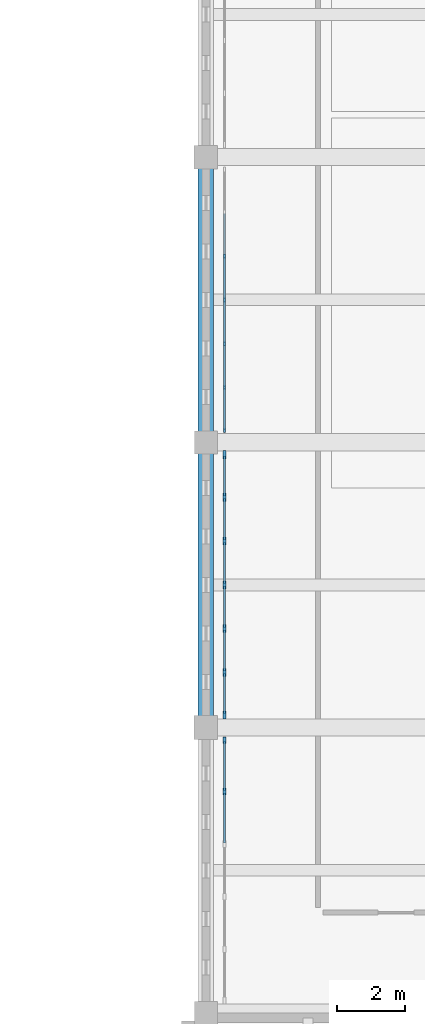
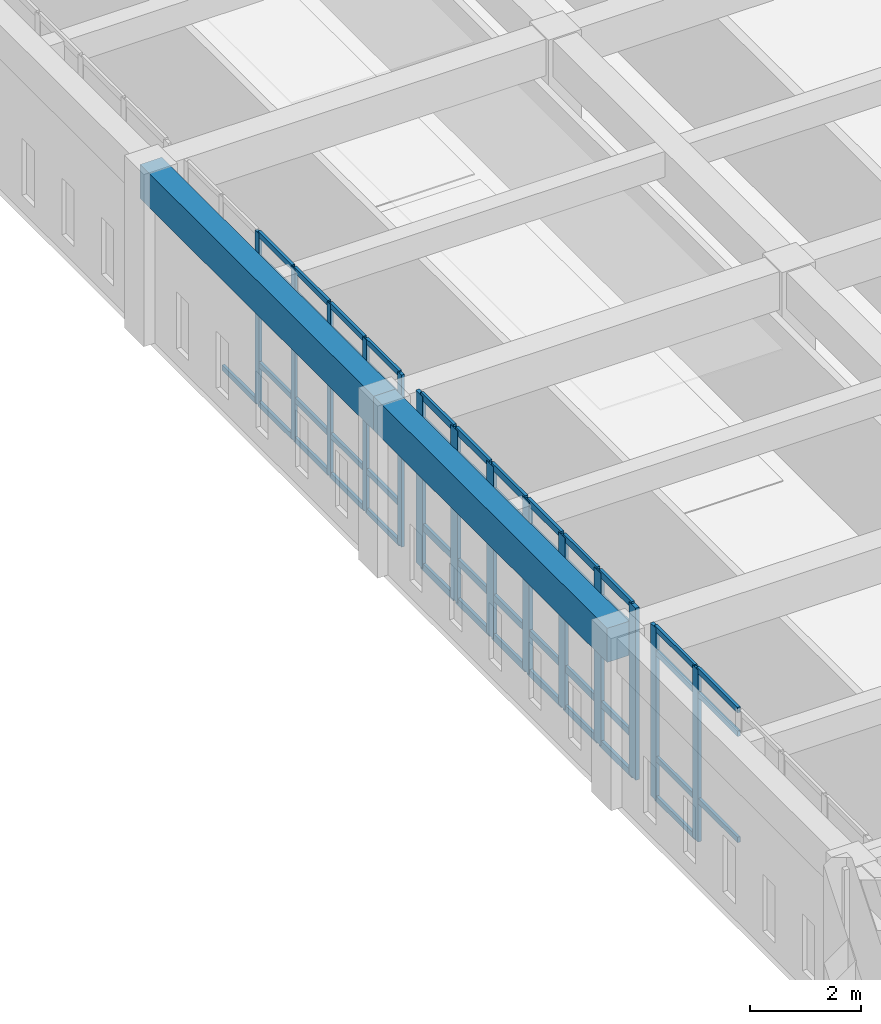
# One storey, part 20 of 110: 62 members, 2 beams, 3 elements without a shape of their own.
"""IFC4 building model written with IfcOpenShell, lengths in metres."""

from ifc_helpers import new_model, si_unit, direction, frame, origin, origin_2d, place, context, subcontext, project, spatial, rectangle, extrude, material, layer, layer_set, material_profile, profile_set, type_object, element, aggregate, save


model = new_model("IFC4")

# Units and contexts
model_context = context("Model", 3, precision=1e-05, world=origin(), true_north=direction((0.0, 1.0)))
body_context = subcontext(model_context, "Body", "Model", "MODEL_VIEW")
ifc_project = project(units=[si_unit("LENGTHUNIT", "METRE"), si_unit("AREAUNIT", "SQUARE_METRE"), si_unit("VOLUMEUNIT", "CUBIC_METRE"), si_unit("PLANEANGLEUNIT", "RADIAN"), si_unit("MASSUNIT", "GRAM", prefix="KILO")], contexts=[model_context])

# Site, building, storey
site_placement = place(None, origin())
site = spatial("IfcSite", under=ifc_project, at=site_placement, CompositionType="ELEMENT")
building_placement = place(site_placement, origin())
building = spatial("IfcBuilding", under=site, at=building_placement, Name="Kveldsbrygga Polytechnic", CompositionType="ELEMENT")
storey_placement = place(building_placement, frame((0.0, 0.0, 9.860107421875)))
storey = spatial("IfcBuildingStorey", under=building, at=storey_placement, Name="L02", CompositionType="ELEMENT", Elevation=9.860107421875)

# Beams
ifc_material_1 = material(Name="Concrete C35/45", Category="concrete")
ifc_material_profile_1 = material_profile(ifc_material_1, rectangle(XDim=0.449951171875, YDim=0.75, at=origin_2d()), Name="RC 450x750")
ifc_profile_set_1 = profile_set([ifc_material_profile_1], Name="Concrete C35/45")
beam_type = type_object("IfcBeamType", Name="BM-RC-450x750", PredefinedType="BEAM", material=ifc_profile_set_1)
beam_1_placement = place(storey_placement, frame((126.0, 42.0, 3.375), z_axis=(0.0, 1.0, 0.0), x_axis=(-1.0, 0.0, 0.0)))
element("IfcBeam", 1, at=beam_1_placement, inside=storey, type_object=beam_type, Name="Primary Beam BMY-L02-15-05to06", PredefinedType="BEAM", context=body_context, shape_type="SweptSolid", body=[
    extrude(rectangle(XDim=0.449951171875, YDim=0.75, at=origin_2d()), origin(), (0.0, 0.0, 1.0), 8.39990234375),
])
beam_2_placement = place(storey_placement, frame((126.0, 50.39990234375, 3.375), z_axis=(0.0, 1.0, 0.0), x_axis=(-1.0, 0.0, 0.0)))
element("IfcBeam", 2, at=beam_2_placement, inside=storey, type_object=beam_type, Name="Primary Beam BMY-L02-15-06to07", PredefinedType="BEAM", context=body_context, shape_type="SweptSolid", body=[
    extrude(rectangle(XDim=0.449951171875, YDim=0.75, at=origin_2d()), origin(), (0.0, 0.0, 1.0), 8.400146484375),
])

# Curtain wall, members
ifc_material_2 = material(Name="Anodised aluminium AW-6060", Category="aluminium")
ifc_layer_1 = layer(ifc_material_2, 0.179931640625)
ifc_layer_set_1 = layer_set([ifc_layer_1], Name="Anodised aluminium AW-6060")
curtain_wall_type_1 = type_object("IfcCurtainWallType", Name="CW-CONC-A", PredefinedType="USERDEFINED", material=ifc_layer_set_1)
curtain_wall_1_placement = place(storey_placement, origin())
curtain_wall_1 = element("IfcCurtainWall", 3, at=curtain_wall_1_placement, inside=storey, type_object=curtain_wall_type_1, Name="Curtain Wall CW-L02-Y-15-06", ObjectType="UNITISED CURTAIN WALL", PredefinedType="USERDEFINED")
ifc_material_profile_2 = material_profile(ifc_material_2, rectangle(XDim=0.06005859375, YDim=0.139892578125, at=origin_2d()), Name="ALU 60x140")
ifc_profile_set_2 = profile_set([ifc_material_profile_2], Name="Anodised aluminium AW-6060")
member_type_1 = type_object("IfcMemberType", Name="CW-MUL-140", PredefinedType="MULLION", material=ifc_profile_set_2)
member_1_placement = place(storey_placement, frame((126.550048828125, 50.7548828125, 0.0), z_axis=(0.0, 0.0, 1.0), x_axis=(-1.0, 0.0, 0.0)))
member_1 = element("IfcMember", 4, at=member_1_placement, type_object=member_type_1, Name="CW-01 mullion 1", PredefinedType="MULLION", context=body_context, shape_type="SweptSolid", body=[
    extrude(rectangle(XDim=0.06005859375, YDim=0.139892578125, at=origin_2d()), origin(), (0.0, 0.0, 1.0), 3.77978515625),
])
member_2_placement = place(storey_placement, frame((126.550048828125, 52.014892578125, 0.0), z_axis=(0.0, 0.0, 1.0), x_axis=(-1.0, 0.0, 0.0)))
member_2 = element("IfcMember", 5, at=member_2_placement, type_object=member_type_1, Name="CW-01 mullion 2", PredefinedType="MULLION", context=body_context, shape_type="SweptSolid", body=[
    extrude(rectangle(XDim=0.06005859375, YDim=0.139892578125, at=origin_2d()), origin(), (0.0, 0.0, 1.0), 3.77978515625),
])
member_3_placement = place(storey_placement, frame((126.550048828125, 53.304931640625, 0.0), z_axis=(0.0, 0.0, 1.0), x_axis=(-1.0, 0.0, 0.0)))
member_3 = element("IfcMember", 6, at=member_3_placement, type_object=member_type_1, Name="CW-01 mullion 3", PredefinedType="MULLION", context=body_context, shape_type="SweptSolid", body=[
    extrude(rectangle(XDim=0.06005859375, YDim=0.139892578125, at=origin_2d()), origin(), (0.0, 0.0, 1.0), 3.77978515625),
])
member_4_placement = place(storey_placement, frame((126.550048828125, 54.594970703125, 0.0), z_axis=(0.0, 0.0, 1.0), x_axis=(-1.0, 0.0, 0.0)))
member_4 = element("IfcMember", 7, at=member_4_placement, type_object=member_type_1, Name="CW-01 mullion 4", PredefinedType="MULLION", context=body_context, shape_type="SweptSolid", body=[
    extrude(rectangle(XDim=0.06005859375, YDim=0.139892578125, at=origin_2d()), origin(), (0.0, 0.0, 1.0), 3.77978515625),
])
member_5_placement = place(storey_placement, frame((126.550048828125, 55.885009765625, 0.0), z_axis=(0.0, 0.0, 1.0), x_axis=(-1.0, 0.0, 0.0)))
member_5 = element("IfcMember", 8, at=member_5_placement, type_object=member_type_1, Name="CW-01 mullion 5", PredefinedType="MULLION", context=body_context, shape_type="SweptSolid", body=[
    extrude(rectangle(XDim=0.06005859375, YDim=0.139892578125, at=origin_2d()), origin(), (0.0, 0.0, 1.0), 3.77978515625),
])

ifc_layer_2 = layer(ifc_material_2, 0.18994140625)
ifc_layer_set_2 = layer_set([ifc_layer_2], Name="Anodised aluminium AW-6060")
curtain_wall_type_2 = type_object("IfcCurtainWallType", Name="CW-REFC-G", PredefinedType="USERDEFINED", material=ifc_layer_set_2)
curtain_wall_2_placement = place(storey_placement, origin())
curtain_wall_2 = element("IfcCurtainWall", 9, at=curtain_wall_2_placement, inside=storey, type_object=curtain_wall_type_2, Name="Curtain Wall CW-L02-Y-15-04", ObjectType="UNITISED CURTAIN WALL", PredefinedType="USERDEFINED")
ifc_material_profile_3 = material_profile(ifc_material_2, rectangle(XDim=0.074951171875, YDim=0.199951171875, at=origin_2d()), Name="ALU 75x200")
ifc_profile_set_3 = profile_set([ifc_material_profile_3], Name="Anodised aluminium AW-6060")
member_type_2 = type_object("IfcMemberType", Name="CW-MUL-200", PredefinedType="MULLION", material=ifc_profile_set_3)
member_6_placement = place(storey_placement, frame((126.550048828125, 40.116943359375, 0.0), z_axis=(0.0, 0.0, 1.0), x_axis=(-1.0, 0.0, 0.0)))
member_6 = element("IfcMember", 10, at=member_6_placement, type_object=member_type_2, Name="CW-07 mullion 5", PredefinedType="MULLION", context=body_context, shape_type="SweptSolid", body=[
    extrude(rectangle(XDim=0.074951171875, YDim=0.199951171875, at=origin_2d()), origin(), (0.0, 0.0, 1.0), 3.77978515625),
])
member_7_placement = place(storey_placement, frame((126.550048828125, 41.62744140625, 0.0), z_axis=(0.0, 0.0, 1.0), x_axis=(-1.0, 0.0, 0.0)))
member_7 = element("IfcMember", 11, at=member_7_placement, type_object=member_type_2, Name="CW-07 mullion 6", PredefinedType="MULLION", context=body_context, shape_type="SweptSolid", body=[
    extrude(rectangle(XDim=0.074951171875, YDim=0.199951171875, at=origin_2d()), origin(), (0.0, 0.0, 1.0), 3.77978515625),
])

ifc_layer_3 = layer(ifc_material_2, 0.2099609375)
ifc_layer_set_3 = layer_set([ifc_layer_3], Name="Anodised aluminium AW-6060")
curtain_wall_type_3 = type_object("IfcCurtainWallType", Name="CW-LIBR-H", PredefinedType="USERDEFINED", material=ifc_layer_set_3)
curtain_wall_3_placement = place(storey_placement, origin())
curtain_wall_3 = element("IfcCurtainWall", 12, at=curtain_wall_3_placement, inside=storey, type_object=curtain_wall_type_3, Name="Curtain Wall CW-L02-Y-15-05", ObjectType="UNITISED CURTAIN WALL", PredefinedType="USERDEFINED")
ifc_material_profile_4 = material_profile(ifc_material_2, rectangle(XDim=0.074951171875, YDim=0.239990234375, at=origin_2d()), Name="ALU 75x240")
ifc_profile_set_4 = profile_set([ifc_material_profile_4], Name="Anodised aluminium AW-6060")
member_type_3 = type_object("IfcMemberType", Name="CW-MUL-240", PredefinedType="MULLION", material=ifc_profile_set_4)
member_8_placement = place(storey_placement, frame((126.550048828125, 42.37255859375, 0.0), z_axis=(0.0, 0.0, 1.0), x_axis=(-1.0, 0.0, 0.0)))
member_8 = element("IfcMember", 13, at=member_8_placement, type_object=member_type_3, Name="CW-08 mullion 1", PredefinedType="MULLION", context=body_context, shape_type="SweptSolid", body=[
    extrude(rectangle(XDim=0.074951171875, YDim=0.239990234375, at=origin_2d()), origin(), (0.0, 0.0, 1.0), 3.77978515625),
])
member_9_placement = place(storey_placement, frame((126.550048828125, 43.625, 0.0), z_axis=(0.0, 0.0, 1.0), x_axis=(-1.0, 0.0, 0.0)))
member_9 = element("IfcMember", 14, at=member_9_placement, type_object=member_type_3, Name="CW-08 mullion 2", PredefinedType="MULLION", context=body_context, shape_type="SweptSolid", body=[
    extrude(rectangle(XDim=0.074951171875, YDim=0.239990234375, at=origin_2d()), origin(), (0.0, 0.0, 1.0), 3.77978515625),
])
member_10_placement = place(storey_placement, frame((126.550048828125, 44.9150390625, 0.0), z_axis=(0.0, 0.0, 1.0), x_axis=(-1.0, 0.0, 0.0)))
member_10 = element("IfcMember", 15, at=member_10_placement, type_object=member_type_3, Name="CW-08 mullion 3", PredefinedType="MULLION", context=body_context, shape_type="SweptSolid", body=[
    extrude(rectangle(XDim=0.074951171875, YDim=0.239990234375, at=origin_2d()), origin(), (0.0, 0.0, 1.0), 3.77978515625),
])
member_11_placement = place(storey_placement, frame((126.550048828125, 46.205078125, 0.0), z_axis=(0.0, 0.0, 1.0), x_axis=(-1.0, 0.0, 0.0)))
member_11 = element("IfcMember", 16, at=member_11_placement, type_object=member_type_3, Name="CW-08 mullion 4", PredefinedType="MULLION", context=body_context, shape_type="SweptSolid", body=[
    extrude(rectangle(XDim=0.074951171875, YDim=0.239990234375, at=origin_2d()), origin(), (0.0, 0.0, 1.0), 3.77978515625),
])
member_12_placement = place(storey_placement, frame((126.550048828125, 47.4951171875, 0.0), z_axis=(0.0, 0.0, 1.0), x_axis=(-1.0, 0.0, 0.0)))
member_12 = element("IfcMember", 17, at=member_12_placement, type_object=member_type_3, Name="CW-08 mullion 5", PredefinedType="MULLION", context=body_context, shape_type="SweptSolid", body=[
    extrude(rectangle(XDim=0.074951171875, YDim=0.239990234375, at=origin_2d()), origin(), (0.0, 0.0, 1.0), 3.77978515625),
])
member_13_placement = place(storey_placement, frame((126.550048828125, 48.784912109375, 0.0), z_axis=(0.0, 0.0, 1.0), x_axis=(-1.0, 0.0, 0.0)))
member_13 = element("IfcMember", 18, at=member_13_placement, type_object=member_type_3, Name="CW-08 mullion 6", PredefinedType="MULLION", context=body_context, shape_type="SweptSolid", body=[
    extrude(rectangle(XDim=0.074951171875, YDim=0.239990234375, at=origin_2d()), origin(), (0.0, 0.0, 1.0), 3.77978515625),
])
member_14_placement = place(storey_placement, frame((126.550048828125, 50.03759765625, 0.0), z_axis=(0.0, 0.0, 1.0), x_axis=(-1.0, 0.0, 0.0)))
member_14 = element("IfcMember", 19, at=member_14_placement, type_object=member_type_3, Name="CW-08 mullion 7", PredefinedType="MULLION", context=body_context, shape_type="SweptSolid", body=[
    extrude(rectangle(XDim=0.074951171875, YDim=0.239990234375, at=origin_2d()), origin(), (0.0, 0.0, 1.0), 3.77978515625),
])

# Member
ifc_material_profile_5 = material_profile(ifc_material_2, rectangle(XDim=0.06005859375, YDim=0.1201171875, at=origin_2d()), Name="ALU 60x120")
ifc_profile_set_5 = profile_set([ifc_material_profile_5], Name="Anodised aluminium AW-6060")
member_type_4 = type_object("IfcMemberType", Name="CW-TRN-120", PredefinedType="USERDEFINED", material=ifc_profile_set_5)
member_15_placement = place(storey_placement, frame((126.550048828125, 38.6064453125, 0.89990234375), z_axis=(0.0, 1.0, 0.0), x_axis=(-1.0, 0.0, 0.0)))
member_15 = element("IfcMember", 20, at=member_15_placement, type_object=member_type_4, Name="CW-07 transom 4.2", ObjectType="TRANSOM", PredefinedType="USERDEFINED", context=body_context, shape_type="SweptSolid", body=[
    extrude(rectangle(XDim=0.06005859375, YDim=0.1201171875, at=origin_2d()), origin(), (0.0, 0.0, 1.0), 1.47314453125),
])

member_16_placement = place(storey_placement, frame((126.550048828125, 38.6064453125, 3.22998046875), z_axis=(0.0, 1.0, 0.0), x_axis=(-1.0, 0.0, 0.0)))
member_16 = element("IfcMember", 21, at=member_16_placement, type_object=member_type_4, Name="CW-07 transom 4.3", ObjectType="TRANSOM", PredefinedType="USERDEFINED", context=body_context, shape_type="SweptSolid", body=[
    extrude(rectangle(XDim=0.06005859375, YDim=0.1201171875, at=origin_2d()), origin(), (0.0, 0.0, 1.0), 1.47314453125),
])

member_17_placement = place(storey_placement, frame((126.550048828125, 38.6064453125, 3.75), z_axis=(0.0, 1.0, 0.0), x_axis=(-1.0, 0.0, 0.0)))
member_17 = element("IfcMember", 22, at=member_17_placement, type_object=member_type_4, Name="CW-07 transom 4.4", ObjectType="TRANSOM", PredefinedType="USERDEFINED", context=body_context, shape_type="SweptSolid", body=[
    extrude(rectangle(XDim=0.06005859375, YDim=0.1201171875, at=origin_2d()), origin(), (0.0, 0.0, 1.0), 1.47314453125),
])

member_18_placement = place(storey_placement, frame((126.550048828125, 40.154541015625, 0.02978515625), z_axis=(0.0, 1.0, 0.0), x_axis=(-1.0, 0.0, 0.0)))
member_18 = element("IfcMember", 23, at=member_18_placement, type_object=member_type_4, Name="CW-07 transom 5.1", ObjectType="TRANSOM", PredefinedType="USERDEFINED", context=body_context, shape_type="SweptSolid", body=[
    extrude(rectangle(XDim=0.06005859375, YDim=0.1201171875, at=origin_2d()), origin(), (0.0, 0.0, 1.0), 1.435546875),
])

member_19_placement = place(storey_placement, frame((126.550048828125, 40.154541015625, 0.89990234375), z_axis=(0.0, 1.0, 0.0), x_axis=(-1.0, 0.0, 0.0)))
member_19 = element("IfcMember", 24, at=member_19_placement, type_object=member_type_4, Name="CW-07 transom 5.2", ObjectType="TRANSOM", PredefinedType="USERDEFINED", context=body_context, shape_type="SweptSolid", body=[
    extrude(rectangle(XDim=0.06005859375, YDim=0.1201171875, at=origin_2d()), origin(), (0.0, 0.0, 1.0), 1.435546875),
])

member_20_placement = place(storey_placement, frame((126.550048828125, 40.154541015625, 3.22998046875), z_axis=(0.0, 1.0, 0.0), x_axis=(-1.0, 0.0, 0.0)))
member_20 = element("IfcMember", 25, at=member_20_placement, type_object=member_type_4, Name="CW-07 transom 5.3", ObjectType="TRANSOM", PredefinedType="USERDEFINED", context=body_context, shape_type="SweptSolid", body=[
    extrude(rectangle(XDim=0.06005859375, YDim=0.1201171875, at=origin_2d()), origin(), (0.0, 0.0, 1.0), 1.435546875),
])

member_21_placement = place(storey_placement, frame((126.550048828125, 40.154541015625, 3.75), z_axis=(0.0, 1.0, 0.0), x_axis=(-1.0, 0.0, 0.0)))
member_21 = element("IfcMember", 26, at=member_21_placement, type_object=member_type_4, Name="CW-07 transom 5.4", ObjectType="TRANSOM", PredefinedType="USERDEFINED", context=body_context, shape_type="SweptSolid", body=[
    extrude(rectangle(XDim=0.06005859375, YDim=0.1201171875, at=origin_2d()), origin(), (0.0, 0.0, 1.0), 1.435546875),
])

aggregate(curtain_wall_2, [member_6, member_7, member_15, member_16, member_17, member_18, member_19, member_20, member_21])

member_22_placement = place(storey_placement, frame((126.550048828125, 50.784912109375, 0.02978515625), z_axis=(0.0, 1.0, 0.0), x_axis=(-1.0, 0.0, 0.0)))
member_22 = element("IfcMember", 27, at=member_22_placement, type_object=member_type_4, Name="CW-01 transom 1.1", ObjectType="TRANSOM", PredefinedType="USERDEFINED", context=body_context, shape_type="SweptSolid", body=[
    extrude(rectangle(XDim=0.06005859375, YDim=0.1201171875, at=origin_2d()), origin(), (0.0, 0.0, 1.0), 1.2001953125),
])

member_23_placement = place(storey_placement, frame((126.550048828125, 50.784912109375, 0.89990234375), z_axis=(0.0, 1.0, 0.0), x_axis=(-1.0, 0.0, 0.0)))
member_23 = element("IfcMember", 28, at=member_23_placement, type_object=member_type_4, Name="CW-01 transom 1.2", ObjectType="TRANSOM", PredefinedType="USERDEFINED", context=body_context, shape_type="SweptSolid", body=[
    extrude(rectangle(XDim=0.06005859375, YDim=0.1201171875, at=origin_2d()), origin(), (0.0, 0.0, 1.0), 1.2001953125),
])

member_24_placement = place(storey_placement, frame((126.550048828125, 50.784912109375, 3.22998046875), z_axis=(0.0, 1.0, 0.0), x_axis=(-1.0, 0.0, 0.0)))
member_24 = element("IfcMember", 29, at=member_24_placement, type_object=member_type_4, Name="CW-01 transom 1.3", ObjectType="TRANSOM", PredefinedType="USERDEFINED", context=body_context, shape_type="SweptSolid", body=[
    extrude(rectangle(XDim=0.06005859375, YDim=0.1201171875, at=origin_2d()), origin(), (0.0, 0.0, 1.0), 1.2001953125),
])

member_25_placement = place(storey_placement, frame((126.550048828125, 50.784912109375, 3.75), z_axis=(0.0, 1.0, 0.0), x_axis=(-1.0, 0.0, 0.0)))
member_25 = element("IfcMember", 30, at=member_25_placement, type_object=member_type_4, Name="CW-01 transom 1.4", ObjectType="TRANSOM", PredefinedType="USERDEFINED", context=body_context, shape_type="SweptSolid", body=[
    extrude(rectangle(XDim=0.06005859375, YDim=0.1201171875, at=origin_2d()), origin(), (0.0, 0.0, 1.0), 1.2001953125),
])

member_26_placement = place(storey_placement, frame((126.550048828125, 52.044921875, 0.02978515625), z_axis=(0.0, 1.0, 0.0), x_axis=(-1.0, 0.0, 0.0)))
member_26 = element("IfcMember", 31, at=member_26_placement, type_object=member_type_4, Name="CW-01 transom 2.1", ObjectType="TRANSOM", PredefinedType="USERDEFINED", context=body_context, shape_type="SweptSolid", body=[
    extrude(rectangle(XDim=0.06005859375, YDim=0.1201171875, at=origin_2d()), origin(), (0.0, 0.0, 1.0), 1.22998046875),
])

member_27_placement = place(storey_placement, frame((126.550048828125, 52.044921875, 0.89990234375), z_axis=(0.0, 1.0, 0.0), x_axis=(-1.0, 0.0, 0.0)))
member_27 = element("IfcMember", 32, at=member_27_placement, type_object=member_type_4, Name="CW-01 transom 2.2", ObjectType="TRANSOM", PredefinedType="USERDEFINED", context=body_context, shape_type="SweptSolid", body=[
    extrude(rectangle(XDim=0.06005859375, YDim=0.1201171875, at=origin_2d()), origin(), (0.0, 0.0, 1.0), 1.22998046875),
])

member_28_placement = place(storey_placement, frame((126.550048828125, 52.044921875, 3.22998046875), z_axis=(0.0, 1.0, 0.0), x_axis=(-1.0, 0.0, 0.0)))
member_28 = element("IfcMember", 33, at=member_28_placement, type_object=member_type_4, Name="CW-01 transom 2.3", ObjectType="TRANSOM", PredefinedType="USERDEFINED", context=body_context, shape_type="SweptSolid", body=[
    extrude(rectangle(XDim=0.06005859375, YDim=0.1201171875, at=origin_2d()), origin(), (0.0, 0.0, 1.0), 1.22998046875),
])

member_29_placement = place(storey_placement, frame((126.550048828125, 52.044921875, 3.75), z_axis=(0.0, 1.0, 0.0), x_axis=(-1.0, 0.0, 0.0)))
member_29 = element("IfcMember", 34, at=member_29_placement, type_object=member_type_4, Name="CW-01 transom 2.4", ObjectType="TRANSOM", PredefinedType="USERDEFINED", context=body_context, shape_type="SweptSolid", body=[
    extrude(rectangle(XDim=0.06005859375, YDim=0.1201171875, at=origin_2d()), origin(), (0.0, 0.0, 1.0), 1.22998046875),
])

member_30_placement = place(storey_placement, frame((126.550048828125, 53.3349609375, 0.02978515625), z_axis=(0.0, 1.0, 0.0), x_axis=(-1.0, 0.0, 0.0)))
member_30 = element("IfcMember", 35, at=member_30_placement, type_object=member_type_4, Name="CW-01 transom 3.1", ObjectType="TRANSOM", PredefinedType="USERDEFINED", context=body_context, shape_type="SweptSolid", body=[
    extrude(rectangle(XDim=0.06005859375, YDim=0.1201171875, at=origin_2d()), origin(), (0.0, 0.0, 1.0), 1.22998046875),
])

member_31_placement = place(storey_placement, frame((126.550048828125, 53.3349609375, 0.89990234375), z_axis=(0.0, 1.0, 0.0), x_axis=(-1.0, 0.0, 0.0)))
member_31 = element("IfcMember", 36, at=member_31_placement, type_object=member_type_4, Name="CW-01 transom 3.2", ObjectType="TRANSOM", PredefinedType="USERDEFINED", context=body_context, shape_type="SweptSolid", body=[
    extrude(rectangle(XDim=0.06005859375, YDim=0.1201171875, at=origin_2d()), origin(), (0.0, 0.0, 1.0), 1.22998046875),
])

member_32_placement = place(storey_placement, frame((126.550048828125, 53.3349609375, 3.22998046875), z_axis=(0.0, 1.0, 0.0), x_axis=(-1.0, 0.0, 0.0)))
member_32 = element("IfcMember", 37, at=member_32_placement, type_object=member_type_4, Name="CW-01 transom 3.3", ObjectType="TRANSOM", PredefinedType="USERDEFINED", context=body_context, shape_type="SweptSolid", body=[
    extrude(rectangle(XDim=0.06005859375, YDim=0.1201171875, at=origin_2d()), origin(), (0.0, 0.0, 1.0), 1.22998046875),
])

member_33_placement = place(storey_placement, frame((126.550048828125, 53.3349609375, 3.75), z_axis=(0.0, 1.0, 0.0), x_axis=(-1.0, 0.0, 0.0)))
member_33 = element("IfcMember", 38, at=member_33_placement, type_object=member_type_4, Name="CW-01 transom 3.4", ObjectType="TRANSOM", PredefinedType="USERDEFINED", context=body_context, shape_type="SweptSolid", body=[
    extrude(rectangle(XDim=0.06005859375, YDim=0.1201171875, at=origin_2d()), origin(), (0.0, 0.0, 1.0), 1.22998046875),
])

member_34_placement = place(storey_placement, frame((126.550048828125, 54.625, 0.02978515625), z_axis=(0.0, 1.0, 0.0), x_axis=(-1.0, 0.0, 0.0)))
member_34 = element("IfcMember", 39, at=member_34_placement, type_object=member_type_4, Name="CW-01 transom 4.1", ObjectType="TRANSOM", PredefinedType="USERDEFINED", context=body_context, shape_type="SweptSolid", body=[
    extrude(rectangle(XDim=0.06005859375, YDim=0.1201171875, at=origin_2d()), origin(), (0.0, 0.0, 1.0), 1.22998046875),
])

member_35_placement = place(storey_placement, frame((126.550048828125, 54.625, 0.89990234375), z_axis=(0.0, 1.0, 0.0), x_axis=(-1.0, 0.0, 0.0)))
member_35 = element("IfcMember", 40, at=member_35_placement, type_object=member_type_4, Name="CW-01 transom 4.2", ObjectType="TRANSOM", PredefinedType="USERDEFINED", context=body_context, shape_type="SweptSolid", body=[
    extrude(rectangle(XDim=0.06005859375, YDim=0.1201171875, at=origin_2d()), origin(), (0.0, 0.0, 1.0), 1.22998046875),
])

member_36_placement = place(storey_placement, frame((126.550048828125, 54.625, 3.22998046875), z_axis=(0.0, 1.0, 0.0), x_axis=(-1.0, 0.0, 0.0)))
member_36 = element("IfcMember", 41, at=member_36_placement, type_object=member_type_4, Name="CW-01 transom 4.3", ObjectType="TRANSOM", PredefinedType="USERDEFINED", context=body_context, shape_type="SweptSolid", body=[
    extrude(rectangle(XDim=0.06005859375, YDim=0.1201171875, at=origin_2d()), origin(), (0.0, 0.0, 1.0), 1.22998046875),
])

member_37_placement = place(storey_placement, frame((126.550048828125, 54.625, 3.75), z_axis=(0.0, 1.0, 0.0), x_axis=(-1.0, 0.0, 0.0)))
member_37 = element("IfcMember", 42, at=member_37_placement, type_object=member_type_4, Name="CW-01 transom 4.4", ObjectType="TRANSOM", PredefinedType="USERDEFINED", context=body_context, shape_type="SweptSolid", body=[
    extrude(rectangle(XDim=0.06005859375, YDim=0.1201171875, at=origin_2d()), origin(), (0.0, 0.0, 1.0), 1.22998046875),
])

member_38_placement = place(storey_placement, frame((126.550048828125, 55.9150390625, 0.02978515625), z_axis=(0.0, 1.0, 0.0), x_axis=(-1.0, 0.0, 0.0)))
member_38 = element("IfcMember", 43, at=member_38_placement, type_object=member_type_4, Name="CW-01 transom 5.1", ObjectType="TRANSOM", PredefinedType="USERDEFINED", context=body_context, shape_type="SweptSolid", body=[
    extrude(rectangle(XDim=0.06005859375, YDim=0.1201171875, at=origin_2d()), origin(), (0.0, 0.0, 1.0), 1.22998046875),
])

aggregate(curtain_wall_1, [member_1, member_2, member_3, member_4, member_5, member_22, member_23, member_24, member_25, member_26, member_27, member_28, member_29, member_30, member_31, member_32, member_33, member_34, member_35, member_36, member_37, member_38])

ifc_material_profile_6 = material_profile(ifc_material_2, rectangle(XDim=0.06005859375, YDim=0.14990234375, at=origin_2d()), Name="ALU 60x150")
ifc_profile_set_6 = profile_set([ifc_material_profile_6], Name="Anodised aluminium AW-6060")
member_type_5 = type_object("IfcMemberType", Name="CW-TRN-150", PredefinedType="USERDEFINED", material=ifc_profile_set_6)
member_39_placement = place(storey_placement, frame((126.550048828125, 42.409912109375, 0.02978515625), z_axis=(0.0, 1.0, 0.0), x_axis=(-1.0, 0.0, 0.0)))
member_39 = element("IfcMember", 44, at=member_39_placement, type_object=member_type_5, Name="CW-08 transom 1.1", ObjectType="TRANSOM", PredefinedType="USERDEFINED", context=body_context, shape_type="SweptSolid", body=[
    extrude(rectangle(XDim=0.06005859375, YDim=0.14990234375, at=origin_2d()), origin(), (0.0, 0.0, 1.0), 1.177490234375),
])

member_40_placement = place(storey_placement, frame((126.550048828125, 42.409912109375, 0.89990234375), z_axis=(0.0, 1.0, 0.0), x_axis=(-1.0, 0.0, 0.0)))
member_40 = element("IfcMember", 45, at=member_40_placement, type_object=member_type_5, Name="CW-08 transom 1.2", ObjectType="TRANSOM", PredefinedType="USERDEFINED", context=body_context, shape_type="SweptSolid", body=[
    extrude(rectangle(XDim=0.06005859375, YDim=0.14990234375, at=origin_2d()), origin(), (0.0, 0.0, 1.0), 1.177490234375),
])

member_41_placement = place(storey_placement, frame((126.550048828125, 42.409912109375, 3.22998046875), z_axis=(0.0, 1.0, 0.0), x_axis=(-1.0, 0.0, 0.0)))
member_41 = element("IfcMember", 46, at=member_41_placement, type_object=member_type_5, Name="CW-08 transom 1.3", ObjectType="TRANSOM", PredefinedType="USERDEFINED", context=body_context, shape_type="SweptSolid", body=[
    extrude(rectangle(XDim=0.06005859375, YDim=0.14990234375, at=origin_2d()), origin(), (0.0, 0.0, 1.0), 1.177490234375),
])

member_42_placement = place(storey_placement, frame((126.550048828125, 42.409912109375, 3.75), z_axis=(0.0, 1.0, 0.0), x_axis=(-1.0, 0.0, 0.0)))
member_42 = element("IfcMember", 47, at=member_42_placement, type_object=member_type_5, Name="CW-08 transom 1.4", ObjectType="TRANSOM", PredefinedType="USERDEFINED", context=body_context, shape_type="SweptSolid", body=[
    extrude(rectangle(XDim=0.06005859375, YDim=0.14990234375, at=origin_2d()), origin(), (0.0, 0.0, 1.0), 1.177490234375),
])

member_43_placement = place(storey_placement, frame((126.550048828125, 43.66259765625, 0.02978515625), z_axis=(0.0, 1.0, 0.0), x_axis=(-1.0, 0.0, 0.0)))
member_43 = element("IfcMember", 48, at=member_43_placement, type_object=member_type_5, Name="CW-08 transom 2.1", ObjectType="TRANSOM", PredefinedType="USERDEFINED", context=body_context, shape_type="SweptSolid", body=[
    extrude(rectangle(XDim=0.06005859375, YDim=0.14990234375, at=origin_2d()), origin(), (0.0, 0.0, 1.0), 1.21484375),
])

member_44_placement = place(storey_placement, frame((126.550048828125, 43.66259765625, 0.89990234375), z_axis=(0.0, 1.0, 0.0), x_axis=(-1.0, 0.0, 0.0)))
member_44 = element("IfcMember", 49, at=member_44_placement, type_object=member_type_5, Name="CW-08 transom 2.2", ObjectType="TRANSOM", PredefinedType="USERDEFINED", context=body_context, shape_type="SweptSolid", body=[
    extrude(rectangle(XDim=0.06005859375, YDim=0.14990234375, at=origin_2d()), origin(), (0.0, 0.0, 1.0), 1.21484375),
])

member_45_placement = place(storey_placement, frame((126.550048828125, 43.66259765625, 3.22998046875), z_axis=(0.0, 1.0, 0.0), x_axis=(-1.0, 0.0, 0.0)))
member_45 = element("IfcMember", 50, at=member_45_placement, type_object=member_type_5, Name="CW-08 transom 2.3", ObjectType="TRANSOM", PredefinedType="USERDEFINED", context=body_context, shape_type="SweptSolid", body=[
    extrude(rectangle(XDim=0.06005859375, YDim=0.14990234375, at=origin_2d()), origin(), (0.0, 0.0, 1.0), 1.21484375),
])

member_46_placement = place(storey_placement, frame((126.550048828125, 43.66259765625, 3.75), z_axis=(0.0, 1.0, 0.0), x_axis=(-1.0, 0.0, 0.0)))
member_46 = element("IfcMember", 51, at=member_46_placement, type_object=member_type_5, Name="CW-08 transom 2.4", ObjectType="TRANSOM", PredefinedType="USERDEFINED", context=body_context, shape_type="SweptSolid", body=[
    extrude(rectangle(XDim=0.06005859375, YDim=0.14990234375, at=origin_2d()), origin(), (0.0, 0.0, 1.0), 1.21484375),
])

member_47_placement = place(storey_placement, frame((126.550048828125, 44.952392578125, 0.02978515625), z_axis=(0.0, 1.0, 0.0), x_axis=(-1.0, 0.0, 0.0)))
member_47 = element("IfcMember", 52, at=member_47_placement, type_object=member_type_5, Name="CW-08 transom 3.1", ObjectType="TRANSOM", PredefinedType="USERDEFINED", context=body_context, shape_type="SweptSolid", body=[
    extrude(rectangle(XDim=0.06005859375, YDim=0.14990234375, at=origin_2d()), origin(), (0.0, 0.0, 1.0), 1.215087890625),
])

member_48_placement = place(storey_placement, frame((126.550048828125, 44.952392578125, 0.89990234375), z_axis=(0.0, 1.0, 0.0), x_axis=(-1.0, 0.0, 0.0)))
member_48 = element("IfcMember", 53, at=member_48_placement, type_object=member_type_5, Name="CW-08 transom 3.2", ObjectType="TRANSOM", PredefinedType="USERDEFINED", context=body_context, shape_type="SweptSolid", body=[
    extrude(rectangle(XDim=0.06005859375, YDim=0.14990234375, at=origin_2d()), origin(), (0.0, 0.0, 1.0), 1.215087890625),
])

member_49_placement = place(storey_placement, frame((126.550048828125, 44.952392578125, 3.22998046875), z_axis=(0.0, 1.0, 0.0), x_axis=(-1.0, 0.0, 0.0)))
member_49 = element("IfcMember", 54, at=member_49_placement, type_object=member_type_5, Name="CW-08 transom 3.3", ObjectType="TRANSOM", PredefinedType="USERDEFINED", context=body_context, shape_type="SweptSolid", body=[
    extrude(rectangle(XDim=0.06005859375, YDim=0.14990234375, at=origin_2d()), origin(), (0.0, 0.0, 1.0), 1.215087890625),
])

member_50_placement = place(storey_placement, frame((126.550048828125, 44.952392578125, 3.75), z_axis=(0.0, 1.0, 0.0), x_axis=(-1.0, 0.0, 0.0)))
member_50 = element("IfcMember", 55, at=member_50_placement, type_object=member_type_5, Name="CW-08 transom 3.4", ObjectType="TRANSOM", PredefinedType="USERDEFINED", context=body_context, shape_type="SweptSolid", body=[
    extrude(rectangle(XDim=0.06005859375, YDim=0.14990234375, at=origin_2d()), origin(), (0.0, 0.0, 1.0), 1.215087890625),
])

member_51_placement = place(storey_placement, frame((126.550048828125, 46.242431640625, 0.02978515625), z_axis=(0.0, 1.0, 0.0), x_axis=(-1.0, 0.0, 0.0)))
member_51 = element("IfcMember", 56, at=member_51_placement, type_object=member_type_5, Name="CW-08 transom 4.1", ObjectType="TRANSOM", PredefinedType="USERDEFINED", context=body_context, shape_type="SweptSolid", body=[
    extrude(rectangle(XDim=0.06005859375, YDim=0.14990234375, at=origin_2d()), origin(), (0.0, 0.0, 1.0), 1.215087890625),
])

member_52_placement = place(storey_placement, frame((126.550048828125, 46.242431640625, 0.89990234375), z_axis=(0.0, 1.0, 0.0), x_axis=(-1.0, 0.0, 0.0)))
member_52 = element("IfcMember", 57, at=member_52_placement, type_object=member_type_5, Name="CW-08 transom 4.2", ObjectType="TRANSOM", PredefinedType="USERDEFINED", context=body_context, shape_type="SweptSolid", body=[
    extrude(rectangle(XDim=0.06005859375, YDim=0.14990234375, at=origin_2d()), origin(), (0.0, 0.0, 1.0), 1.215087890625),
])

member_53_placement = place(storey_placement, frame((126.550048828125, 46.242431640625, 3.22998046875), z_axis=(0.0, 1.0, 0.0), x_axis=(-1.0, 0.0, 0.0)))
member_53 = element("IfcMember", 58, at=member_53_placement, type_object=member_type_5, Name="CW-08 transom 4.3", ObjectType="TRANSOM", PredefinedType="USERDEFINED", context=body_context, shape_type="SweptSolid", body=[
    extrude(rectangle(XDim=0.06005859375, YDim=0.14990234375, at=origin_2d()), origin(), (0.0, 0.0, 1.0), 1.215087890625),
])

member_54_placement = place(storey_placement, frame((126.550048828125, 46.242431640625, 3.75), z_axis=(0.0, 1.0, 0.0), x_axis=(-1.0, 0.0, 0.0)))
member_54 = element("IfcMember", 59, at=member_54_placement, type_object=member_type_5, Name="CW-08 transom 4.4", ObjectType="TRANSOM", PredefinedType="USERDEFINED", context=body_context, shape_type="SweptSolid", body=[
    extrude(rectangle(XDim=0.06005859375, YDim=0.14990234375, at=origin_2d()), origin(), (0.0, 0.0, 1.0), 1.215087890625),
])

member_55_placement = place(storey_placement, frame((126.550048828125, 47.532470703125, 0.02978515625), z_axis=(0.0, 1.0, 0.0), x_axis=(-1.0, 0.0, 0.0)))
member_55 = element("IfcMember", 60, at=member_55_placement, type_object=member_type_5, Name="CW-08 transom 5.1", ObjectType="TRANSOM", PredefinedType="USERDEFINED", context=body_context, shape_type="SweptSolid", body=[
    extrude(rectangle(XDim=0.06005859375, YDim=0.14990234375, at=origin_2d()), origin(), (0.0, 0.0, 1.0), 1.215087890625),
])

member_56_placement = place(storey_placement, frame((126.550048828125, 47.532470703125, 0.89990234375), z_axis=(0.0, 1.0, 0.0), x_axis=(-1.0, 0.0, 0.0)))
member_56 = element("IfcMember", 61, at=member_56_placement, type_object=member_type_5, Name="CW-08 transom 5.2", ObjectType="TRANSOM", PredefinedType="USERDEFINED", context=body_context, shape_type="SweptSolid", body=[
    extrude(rectangle(XDim=0.06005859375, YDim=0.14990234375, at=origin_2d()), origin(), (0.0, 0.0, 1.0), 1.215087890625),
])

member_57_placement = place(storey_placement, frame((126.550048828125, 47.532470703125, 3.22998046875), z_axis=(0.0, 1.0, 0.0), x_axis=(-1.0, 0.0, 0.0)))
member_57 = element("IfcMember", 62, at=member_57_placement, type_object=member_type_5, Name="CW-08 transom 5.3", ObjectType="TRANSOM", PredefinedType="USERDEFINED", context=body_context, shape_type="SweptSolid", body=[
    extrude(rectangle(XDim=0.06005859375, YDim=0.14990234375, at=origin_2d()), origin(), (0.0, 0.0, 1.0), 1.215087890625),
])

member_58_placement = place(storey_placement, frame((126.550048828125, 47.532470703125, 3.75), z_axis=(0.0, 1.0, 0.0), x_axis=(-1.0, 0.0, 0.0)))
member_58 = element("IfcMember", 63, at=member_58_placement, type_object=member_type_5, Name="CW-08 transom 5.4", ObjectType="TRANSOM", PredefinedType="USERDEFINED", context=body_context, shape_type="SweptSolid", body=[
    extrude(rectangle(XDim=0.06005859375, YDim=0.14990234375, at=origin_2d()), origin(), (0.0, 0.0, 1.0), 1.215087890625),
])

member_59_placement = place(storey_placement, frame((126.550048828125, 48.822509765625, 0.02978515625), z_axis=(0.0, 1.0, 0.0), x_axis=(-1.0, 0.0, 0.0)))
member_59 = element("IfcMember", 64, at=member_59_placement, type_object=member_type_5, Name="CW-08 transom 6.1", ObjectType="TRANSOM", PredefinedType="USERDEFINED", context=body_context, shape_type="SweptSolid", body=[
    extrude(rectangle(XDim=0.06005859375, YDim=0.14990234375, at=origin_2d()), origin(), (0.0, 0.0, 1.0), 1.177490234375),
])

member_60_placement = place(storey_placement, frame((126.550048828125, 48.822509765625, 0.89990234375), z_axis=(0.0, 1.0, 0.0), x_axis=(-1.0, 0.0, 0.0)))
member_60 = element("IfcMember", 65, at=member_60_placement, type_object=member_type_5, Name="CW-08 transom 6.2", ObjectType="TRANSOM", PredefinedType="USERDEFINED", context=body_context, shape_type="SweptSolid", body=[
    extrude(rectangle(XDim=0.06005859375, YDim=0.14990234375, at=origin_2d()), origin(), (0.0, 0.0, 1.0), 1.177490234375),
])

member_61_placement = place(storey_placement, frame((126.550048828125, 48.822509765625, 3.22998046875), z_axis=(0.0, 1.0, 0.0), x_axis=(-1.0, 0.0, 0.0)))
member_61 = element("IfcMember", 66, at=member_61_placement, type_object=member_type_5, Name="CW-08 transom 6.3", ObjectType="TRANSOM", PredefinedType="USERDEFINED", context=body_context, shape_type="SweptSolid", body=[
    extrude(rectangle(XDim=0.06005859375, YDim=0.14990234375, at=origin_2d()), origin(), (0.0, 0.0, 1.0), 1.177490234375),
])

member_62_placement = place(storey_placement, frame((126.550048828125, 48.822509765625, 3.75), z_axis=(0.0, 1.0, 0.0), x_axis=(-1.0, 0.0, 0.0)))
member_62 = element("IfcMember", 67, at=member_62_placement, type_object=member_type_5, Name="CW-08 transom 6.4", ObjectType="TRANSOM", PredefinedType="USERDEFINED", context=body_context, shape_type="SweptSolid", body=[
    extrude(rectangle(XDim=0.06005859375, YDim=0.14990234375, at=origin_2d()), origin(), (0.0, 0.0, 1.0), 1.177490234375),
])

aggregate(curtain_wall_3, [member_8, member_9, member_10, member_11, member_12, member_13, member_14, member_39, member_40, member_41, member_42, member_43, member_44, member_45, member_46, member_47, member_48, member_49, member_50, member_51, member_52, member_53, member_54, member_55, member_56, member_57, member_58, member_59, member_60, member_61, member_62])

save(model, "model.ifc")
